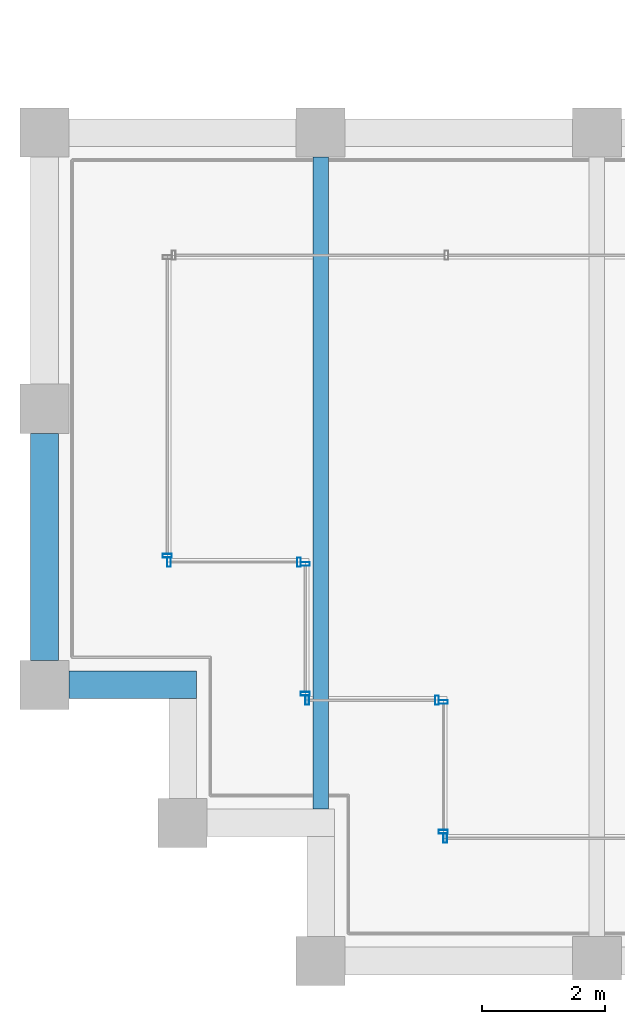
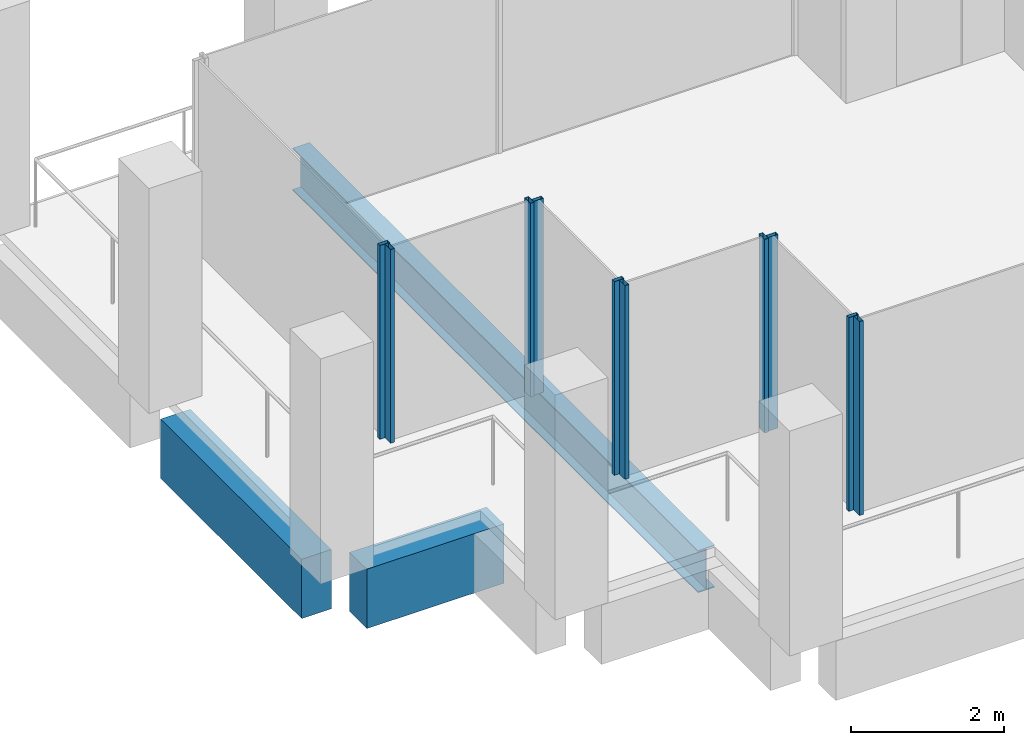
# One storey, part 2 of 30: 10 members, 3 beams, 6 elements without a shape of their own.
"""IFC4 building model written with IfcOpenShell, lengths in metres."""

from ifc_helpers import new_model, si_unit, direction, frame, origin, origin_2d, place, context, subcontext, project, spatial, rectangle, hollow_rectangle, i_section, extrude, material, material_profile, profile_set, type_object, element, aggregate, save


model = new_model("IFC4")

# Units and contexts
model_context = context("Model", 3, precision=1e-05, world=origin(), true_north=direction((0.0, 1.0)))
body_context = subcontext(model_context, "Body", "Model", "MODEL_VIEW")
ifc_project = project(units=[si_unit("LENGTHUNIT", "METRE"), si_unit("AREAUNIT", "SQUARE_METRE"), si_unit("VOLUMEUNIT", "CUBIC_METRE"), si_unit("PLANEANGLEUNIT", "RADIAN"), si_unit("MASSUNIT", "GRAM", prefix="KILO")], contexts=[model_context])

# Site, building, storey
site_placement = place(None, origin())
site = spatial("IfcSite", under=ifc_project, at=site_placement, CompositionType="ELEMENT")
building_placement = place(site_placement, origin())
building = spatial("IfcBuilding", under=site, at=building_placement, Name="Altepetl Exchange Towers", CompositionType="ELEMENT")
storey_placement = place(building_placement, frame((0.0, 0.0, 228.0)))
storey = spatial("IfcBuildingStorey", under=building, at=storey_placement, Name="L58", CompositionType="ELEMENT", Elevation=228.0)

# Beam
ifc_material_1 = material(Name="Steel S355", Category="steel")
ifc_material_profile_1 = material_profile(ifc_material_1, i_section(OverallWidth=0.2529296875, OverallDepth=0.677978515625, WebThickness=0.01171875, FlangeThickness=0.016357421875, at=origin_2d()), Name="W27X84")
ifc_profile_set_1 = profile_set([ifc_material_profile_1], Name="Steel S355")
beam_type_1 = type_object("IfcBeamType", Name="Floor beam W27X84", PredefinedType="BEAM", material=ifc_profile_set_1)
beam_1_placement = place(storey_placement, frame((31.5, 29.47509765625, -0.489013671875), z_axis=(0.0, 1.0, 0.0), x_axis=(-1.0, 0.0, 0.0)))
element("IfcBeam", 1, at=beam_1_placement, inside=storey, type_object=beam_type_1, Name="bm:A:L58:012", PredefinedType="BEAM", context=body_context, shape_type="SweptSolid", body=[
    extrude(i_section(OverallWidth=0.2529296875, OverallDepth=0.677978515625, WebThickness=0.01171875, FlangeThickness=0.016357421875, at=origin_2d()), origin(), (0.0, 0.0, 1.0), 10.625),
])

# Curtain wall, member
ifc_material_2 = material(Name="Aluminium 6063-T6 glazing", Category="aluminium")
curtain_wall_type = type_object("IfcCurtainWallType", Name="Loggia glazing system", PredefinedType="NOTDEFINED", material=ifc_material_2)
curtain_wall_1_placement = place(storey_placement, origin())
curtain_wall_1 = element("IfcCurtainWall", 2, at=curtain_wall_1_placement, inside=storey, type_object=curtain_wall_type, Name="CW1 run", PredefinedType="NOTDEFINED")
ifc_material_3 = material(Name="Aluminium 6063-T6", Category="aluminium")
ifc_material_profile_2 = material_profile(ifc_material_3, hollow_rectangle(XDim=0.06005859375, YDim=0.14990234375, WallThickness=0.0029296875, at=origin_2d()), Name="Mullion 60x150 aluminium")
ifc_profile_set_2 = profile_set([ifc_material_profile_2], Name="Aluminium 6063-T6")
member_type = type_object("IfcMemberType", Name="Mullion 60x150 aluminium", PredefinedType="MULLION", material=ifc_profile_set_2)
member_1_placement = place(storey_placement, frame((29.0, 33.60498046875, 0.0), z_axis=(0.0, 0.0, 1.0), x_axis=(0.0, -1.0, 0.0)))
member_1 = element("IfcMember", 3, at=member_1_placement, type_object=member_type, Name="MU1 mullion", PredefinedType="MULLION", context=body_context, shape_type="SweptSolid", body=[
    extrude(hollow_rectangle(XDim=0.06005859375, YDim=0.14990234375, WallThickness=0.0029296875, at=origin_2d()), origin(), (0.0, 0.0, 1.0), 3.10009765625),
])
aggregate(curtain_wall_1, [member_1])

# Curtain wall, members
curtain_wall_2_placement = place(storey_placement, origin())
curtain_wall_2 = element("IfcCurtainWall", 4, at=curtain_wall_2_placement, inside=storey, type_object=curtain_wall_type, Name="CW1 run", PredefinedType="NOTDEFINED")
member_2_placement = place(storey_placement, frame((29.030029296875, 33.5, 0.0)))
member_2 = element("IfcMember", 5, at=member_2_placement, type_object=member_type, Name="MU1 mullion", PredefinedType="MULLION", context=body_context, shape_type="SweptSolid", body=[
    extrude(hollow_rectangle(XDim=0.06005859375, YDim=0.14990234375, WallThickness=0.0029296875, at=origin_2d()), origin(), (0.0, 0.0, 1.0), 3.10009765625),
])
member_3_placement = place(storey_placement, frame((31.14501953125, 33.5, 0.0)))
member_3 = element("IfcMember", 6, at=member_3_placement, type_object=member_type, Name="MU1 mullion", PredefinedType="MULLION", context=body_context, shape_type="SweptSolid", body=[
    extrude(hollow_rectangle(XDim=0.06005859375, YDim=0.14990234375, WallThickness=0.0029296875, at=origin_2d()), origin(), (0.0, 0.0, 1.0), 3.10009765625),
])
aggregate(curtain_wall_2, [member_2, member_3])

curtain_wall_3_placement = place(storey_placement, origin())
curtain_wall_3 = element("IfcCurtainWall", 7, at=curtain_wall_3_placement, inside=storey, type_object=curtain_wall_type, Name="CW1 run", PredefinedType="NOTDEFINED")
member_4_placement = place(storey_placement, frame((31.25, 33.469970703125, 0.0), z_axis=(0.0, 0.0, 1.0), x_axis=(0.0, -1.0, 0.0)))
member_4 = element("IfcMember", 8, at=member_4_placement, type_object=member_type, Name="MU1 mullion", PredefinedType="MULLION", context=body_context, shape_type="SweptSolid", body=[
    extrude(hollow_rectangle(XDim=0.06005859375, YDim=0.14990234375, WallThickness=0.0029296875, at=origin_2d()), origin(), (0.0, 0.0, 1.0), 3.10009765625),
])
member_5_placement = place(storey_placement, frame((31.25, 31.35498046875, 0.0), z_axis=(0.0, 0.0, 1.0), x_axis=(0.0, -1.0, 0.0)))
member_5 = element("IfcMember", 9, at=member_5_placement, type_object=member_type, Name="MU1 mullion", PredefinedType="MULLION", context=body_context, shape_type="SweptSolid", body=[
    extrude(hollow_rectangle(XDim=0.06005859375, YDim=0.14990234375, WallThickness=0.0029296875, at=origin_2d()), origin(), (0.0, 0.0, 1.0), 3.10009765625),
])
aggregate(curtain_wall_3, [member_4, member_5])

curtain_wall_4_placement = place(storey_placement, origin())
curtain_wall_4 = element("IfcCurtainWall", 10, at=curtain_wall_4_placement, inside=storey, type_object=curtain_wall_type, Name="CW1 run", PredefinedType="NOTDEFINED")
member_6_placement = place(storey_placement, frame((31.280029296875, 31.25, 0.0)))
member_6 = element("IfcMember", 11, at=member_6_placement, type_object=member_type, Name="MU1 mullion", PredefinedType="MULLION", context=body_context, shape_type="SweptSolid", body=[
    extrude(hollow_rectangle(XDim=0.06005859375, YDim=0.14990234375, WallThickness=0.0029296875, at=origin_2d()), origin(), (0.0, 0.0, 1.0), 3.10009765625),
])
member_7_placement = place(storey_placement, frame((33.39501953125, 31.25, 0.0)))
member_7 = element("IfcMember", 12, at=member_7_placement, type_object=member_type, Name="MU1 mullion", PredefinedType="MULLION", context=body_context, shape_type="SweptSolid", body=[
    extrude(hollow_rectangle(XDim=0.06005859375, YDim=0.14990234375, WallThickness=0.0029296875, at=origin_2d()), origin(), (0.0, 0.0, 1.0), 3.10009765625),
])
aggregate(curtain_wall_4, [member_6, member_7])

curtain_wall_5_placement = place(storey_placement, origin())
curtain_wall_5 = element("IfcCurtainWall", 13, at=curtain_wall_5_placement, inside=storey, type_object=curtain_wall_type, Name="CW1 run", PredefinedType="NOTDEFINED")
member_8_placement = place(storey_placement, frame((33.5, 31.219970703125, 0.0), z_axis=(0.0, 0.0, 1.0), x_axis=(0.0, -1.0, 0.0)))
member_8 = element("IfcMember", 14, at=member_8_placement, type_object=member_type, Name="MU1 mullion", PredefinedType="MULLION", context=body_context, shape_type="SweptSolid", body=[
    extrude(hollow_rectangle(XDim=0.06005859375, YDim=0.14990234375, WallThickness=0.0029296875, at=origin_2d()), origin(), (0.0, 0.0, 1.0), 3.10009765625),
])
member_9_placement = place(storey_placement, frame((33.5, 29.10498046875, 0.0), z_axis=(0.0, 0.0, 1.0), x_axis=(0.0, -1.0, 0.0)))
member_9 = element("IfcMember", 15, at=member_9_placement, type_object=member_type, Name="MU1 mullion", PredefinedType="MULLION", context=body_context, shape_type="SweptSolid", body=[
    extrude(hollow_rectangle(XDim=0.06005859375, YDim=0.14990234375, WallThickness=0.0029296875, at=origin_2d()), origin(), (0.0, 0.0, 1.0), 3.10009765625),
])
aggregate(curtain_wall_5, [member_8, member_9])

# Curtain wall, member
curtain_wall_6_placement = place(storey_placement, origin())
curtain_wall_6 = element("IfcCurtainWall", 16, at=curtain_wall_6_placement, inside=storey, type_object=curtain_wall_type, Name="CW1 run", PredefinedType="NOTDEFINED")
member_10_placement = place(storey_placement, frame((33.530029296875, 29.0, 0.0)))
member_10 = element("IfcMember", 17, at=member_10_placement, type_object=member_type, Name="MU1 mullion", PredefinedType="MULLION", context=body_context, shape_type="SweptSolid", body=[
    extrude(hollow_rectangle(XDim=0.06005859375, YDim=0.14990234375, WallThickness=0.0029296875, at=origin_2d()), origin(), (0.0, 0.0, 1.0), 3.10009765625),
])
aggregate(curtain_wall_6, [member_10])

# Beams
ifc_material_4 = material(Name="Concrete C50/60 precast with cantera blanca facing", Category="concrete")
ifc_material_profile_3 = material_profile(ifc_material_4, rectangle(XDim=0.449951171875, YDim=0.949951171875, at=origin_2d()), Name="450 x 950")
ifc_profile_set_3 = profile_set([ifc_material_profile_3], Name="Concrete C50/60 precast with cantera blanca facing")
beam_type_2 = type_object("IfcBeamType", Name="Spandrel beam 450x950 cantera blanca", PredefinedType="SPANDREL", material=ifc_profile_set_3)
beam_2_placement = place(storey_placement, frame((27.0, 35.60009765625, -0.625), z_axis=(0.0, -1.0, 0.0), x_axis=(1.0, 0.0, 0.0)))
element("IfcBeam", 18, at=beam_2_placement, inside=storey, type_object=beam_type_2, Name="sp:A:L58:037", PredefinedType="SPANDREL", context=body_context, shape_type="SweptSolid", body=[
    extrude(rectangle(XDim=0.449951171875, YDim=0.949951171875, at=origin_2d()), origin(), (0.0, 0.0, 1.0), 3.7001953125),
])
beam_3_placement = place(storey_placement, frame((27.39990234375, 31.5, -0.625), z_axis=(1.0, 0.0, 0.0), x_axis=(0.0, 1.0, 0.0)))
element("IfcBeam", 19, at=beam_3_placement, inside=storey, type_object=beam_type_2, Name="sp:A:L58:038", PredefinedType="SPANDREL", context=body_context, shape_type="SweptSolid", body=[
    extrude(rectangle(XDim=0.449951171875, YDim=0.949951171875, at=origin_2d()), origin(), (0.0, 0.0, 1.0), 2.0751953125),
])

save(model, "model.ifc")
